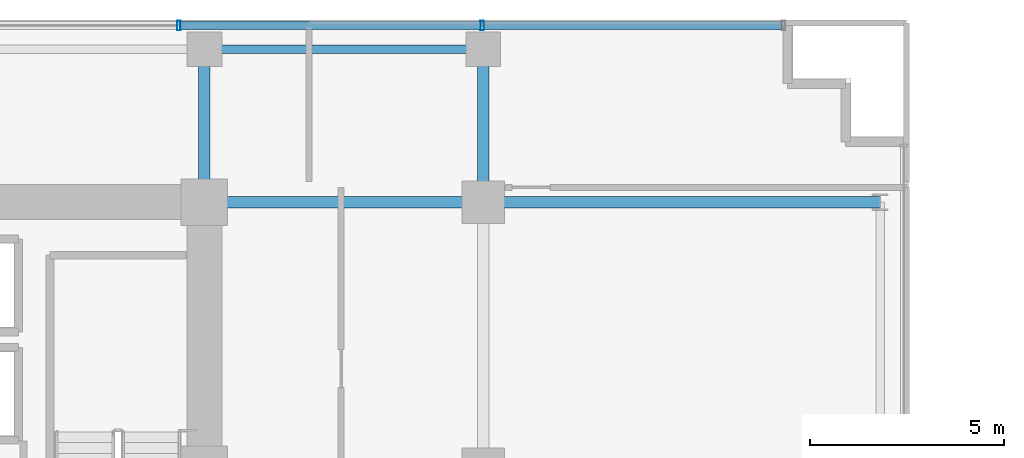
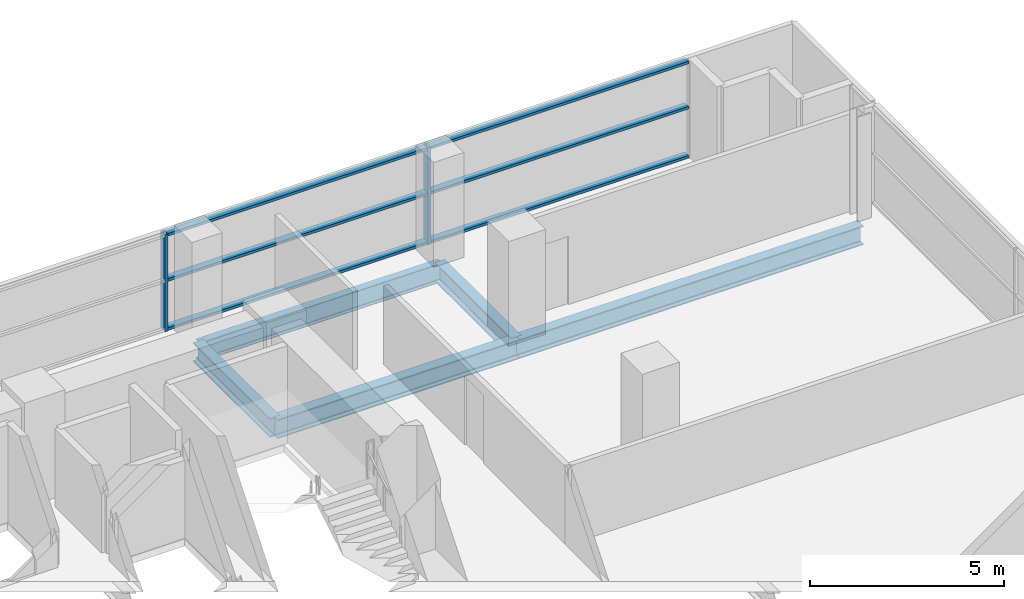
# One storey, part 16 of 26: 8 members, 5 beams, 1 element without a shape of its own.
"""IFC4 building model written with IfcOpenShell, lengths in metres."""

from ifc_helpers import new_model, si_unit, direction, frame, origin, origin_2d, place, context, subcontext, project, spatial, hollow_rectangle, i_section, extrude, source, transform, mapped, material, layer, layer_set, material_profile, profile_set, type_object, element, aggregate, save


model = new_model("IFC4")

# Units and contexts
model_context = context("Model", 3, precision=1e-05, world=origin(), true_north=direction((0.0, 1.0)))
body_context = subcontext(model_context, "Body", "Model", "MODEL_VIEW")
ifc_project = project(units=[si_unit("LENGTHUNIT", "METRE"), si_unit("AREAUNIT", "SQUARE_METRE"), si_unit("VOLUMEUNIT", "CUBIC_METRE"), si_unit("PLANEANGLEUNIT", "RADIAN"), si_unit("MASSUNIT", "GRAM", prefix="KILO")], contexts=[model_context])

# Site, building, storey
site_placement = place(None, origin())
site = spatial("IfcSite", under=ifc_project, at=site_placement, CompositionType="ELEMENT")
building_placement = place(site_placement, origin())
building = spatial("IfcBuilding", under=site, at=building_placement, Name="Zarnakvel Exchange Tower", CompositionType="ELEMENT")
storey_placement = place(building_placement, frame((0.0, 0.0, 70.300048828125)))
storey = spatial("IfcBuildingStorey", under=building, at=storey_placement, Name="L19", CompositionType="ELEMENT", Elevation=70.300048828125)

# Beams
ifc_material_1 = material(Name="Steel S355", Category="steel")
ifc_material_profile_1 = material_profile(ifc_material_1, i_section(OverallWidth=0.300048828125, OverallDepth=0.60009765625, WebThickness=0.015380859375, FlangeThickness=0.030029296875, FilletRadius=0.027099609375, at=origin_2d()))
ifc_profile_set_1 = profile_set([ifc_material_profile_1], Name="Steel S355")
beam_type_1 = type_object("IfcBeamType", Name="G-04", PredefinedType="BEAM", material=ifc_profile_set_1)
beam_1_placement = place(storey_placement, frame((14.39990234375, 13.5, -0.525146484375), z_axis=(1.0, 0.0, 0.0), x_axis=(0.0, 1.0, 0.0)))
element("IfcBeam", 1, at=beam_1_placement, inside=storey, type_object=beam_type_1, Name="L19 Tower E-W Frame Beam", PredefinedType="BEAM", context=body_context, shape_type="SweptSolid", body=[
    extrude(i_section(OverallWidth=0.300048828125, OverallDepth=0.60009765625, WebThickness=0.015380859375, FlangeThickness=0.030029296875, FilletRadius=0.027099609375, at=origin_2d()), origin(), (0.0, 0.0, 1.0), 7.2001953125),
])
beam_2_placement = place(storey_placement, frame((21.60009765625, 13.5, -0.525146484375), z_axis=(1.0, 0.0, 0.0), x_axis=(0.0, 1.0, 0.0)))
element("IfcBeam", 2, at=beam_2_placement, inside=storey, type_object=beam_type_1, Name="L19 Tower E-W Frame Beam", PredefinedType="BEAM", context=body_context, shape_type="SweptSolid", body=[
    extrude(i_section(OverallWidth=0.300048828125, OverallDepth=0.60009765625, WebThickness=0.015380859375, FlangeThickness=0.030029296875, FilletRadius=0.027099609375, at=origin_2d()), origin(), (0.0, 0.0, 1.0), 10.25),
])
for number, where, z_axis, x_axis, name in (
    (3, (14.39990234375, 13.5, -0.525146484375), (0.0, 1.0, 0.0), (-1.0, 0.0, 0.0), "L19 Tower N-S Frame Beam"),
    (4, (21.60009765625, 13.5, -0.525146484375), (0.0, 1.0, 0.0), (-1.0, 0.0, 0.0), "L19 Tower N-S Frame Beam"),
):
    element("IfcBeam", number, at=place(storey_placement, frame(where, z_axis=z_axis, x_axis=x_axis)), inside=storey, type_object=beam_type_1, Name=name, PredefinedType="BEAM", context=body_context, shape_type="SweptSolid", body=[
        extrude(i_section(OverallWidth=0.300048828125, OverallDepth=0.60009765625, WebThickness=0.015380859375, FlangeThickness=0.030029296875, FilletRadius=0.027099609375, at=origin_2d()), origin(), (0.0, 0.0, 1.0), 3.949951171875),
    ])
ifc_material_profile_2 = material_profile(ifc_material_1, i_section(OverallWidth=0.219970703125, OverallDepth=0.60009765625, WebThickness=0.011962890625, FlangeThickness=0.01904296875, FilletRadius=0.02392578125, at=origin_2d()))
ifc_profile_set_2 = profile_set([ifc_material_profile_2], Name="Steel S355")
beam_type_2 = type_object("IfcBeamType", Name="SP-01", PredefinedType="SPANDREL", material=ifc_profile_set_2)
beam_3_placement = place(storey_placement, frame((14.39990234375, 17.449951171875, -0.525146484375), z_axis=(1.0, 0.0, 0.0), x_axis=(0.0, 1.0, 0.0)))
element("IfcBeam", 5, at=beam_3_placement, inside=storey, type_object=beam_type_2, Name="L19 Tower E-W Frame Beam", PredefinedType="SPANDREL", context=body_context, shape_type="SweptSolid", body=[
    extrude(i_section(OverallWidth=0.219970703125, OverallDepth=0.60009765625, WebThickness=0.011962890625, FlangeThickness=0.01904296875, FilletRadius=0.02392578125, at=origin_2d()), origin(), (0.0, 0.0, 1.0), 7.2001953125),
])

# Curtain wall, members
ifc_material_2 = material(Name="Architectural Bronze Anodised Aluminium", Category="aluminium")
ifc_layer = layer(ifc_material_2, 0.239990234375)
ifc_layer_set = layer_set([ifc_layer], Name="Architectural Bronze Anodised Aluminium")
curtain_wall_type = type_object("IfcCurtainWallType", Name="CW-02", PredefinedType="NOTDEFINED", material=ifc_layer_set)
curtain_wall_placement = place(storey_placement, origin())
curtain_wall = element("IfcCurtainWall", 6, at=curtain_wall_placement, inside=storey, type_object=curtain_wall_type, Name="L19 Curtain Wall CW-L19-N1 (CW-02)", PredefinedType="NOTDEFINED")
ifc_material_profile_3 = material_profile(ifc_material_2, hollow_rectangle(XDim=0.199951171875, YDim=0.0849609375, WallThickness=0.0048828125, at=origin_2d()))
ifc_profile_set_3 = profile_set([ifc_material_profile_3], Name="Architectural Bronze Anodised Aluminium")
member_type_1 = type_object("IfcMemberType", Name="CWT-02", PredefinedType="USERDEFINED", material=ifc_profile_set_3)
shared_shape_1 = source(origin(), body_context, "Body", "SweptSolid", [
    extrude(hollow_rectangle(XDim=0.199951171875, YDim=0.0849609375, WallThickness=0.0048828125, at=origin_2d()), origin(), (0.0, 0.0, 1.0), 7.693603515625),
])
member_1_placement = place(storey_placement, frame((21.616455078125, 18.06005859375, 0.04248046875), z_axis=(1.0, 0.0, 0.0), x_axis=(0.0, 1.0, 0.0)))
member_1 = element("IfcMember", 7, at=member_1_placement, type_object=member_type_1, Name="CW-02 transom 7.1", ObjectType="TRANSOM", PredefinedType="USERDEFINED", context=body_context, shape_type="MappedRepresentation", body=[
    mapped(shared_shape_1, transform((0.0, 0.0, 0.0), x_axis=(1.0, 0.0, 0.0), y_axis=(0.0, 1.0, 0.0), z_axis=(0.0, 0.0, 1.0), scale=1.0)),
])
member_2_placement = place(storey_placement, frame((21.616455078125, 18.06005859375, 1.588623046875), z_axis=(1.0, 0.0, 0.0), x_axis=(0.0, 1.0, 0.0)))
member_2 = element("IfcMember", 8, at=member_2_placement, type_object=member_type_1, Name="CW-02 transom 7.2", ObjectType="TRANSOM", PredefinedType="USERDEFINED", context=body_context, shape_type="MappedRepresentation", body=[
    mapped(shared_shape_1, transform((0.0, 0.0, 0.0), x_axis=(1.0, 0.0, 0.0), y_axis=(0.0, 1.0, 0.0), z_axis=(0.0, 0.0, 1.0), scale=1.0)),
])
member_3_placement = place(storey_placement, frame((21.616455078125, 18.06005859375, 3.012451171875), z_axis=(1.0, 0.0, 0.0), x_axis=(0.0, 1.0, 0.0)))
member_3 = element("IfcMember", 9, at=member_3_placement, type_object=member_type_1, Name="CW-02 transom 7.3", ObjectType="TRANSOM", PredefinedType="USERDEFINED", context=body_context, shape_type="MappedRepresentation", body=[
    mapped(shared_shape_1, transform((0.0, 0.0, 0.0), x_axis=(1.0, 0.0, 0.0), y_axis=(0.0, 1.0, 0.0), z_axis=(0.0, 0.0, 1.0), scale=1.0)),
])
shared_shape_2 = source(origin(), body_context, "Body", "SweptSolid", [
    extrude(hollow_rectangle(XDim=0.199951171875, YDim=0.0849609375, WallThickness=0.0048828125, at=origin_2d()), origin(), (0.0, 0.0, 1.0), 7.738525390625),
])
member_4_placement = place(storey_placement, frame((13.787841796875, 18.06005859375, 0.04248046875), z_axis=(1.0, 0.0, 0.0), x_axis=(0.0, 1.0, 0.0)))
member_4 = element("IfcMember", 10, at=member_4_placement, type_object=member_type_1, Name="CW-02 transom 6.1", ObjectType="TRANSOM", PredefinedType="USERDEFINED", context=body_context, shape_type="MappedRepresentation", body=[
    mapped(shared_shape_2, transform((0.0, 0.0, 0.0), x_axis=(1.0, 0.0, 0.0), y_axis=(0.0, 1.0, 0.0), z_axis=(0.0, 0.0, 1.0), scale=1.0)),
])
member_5_placement = place(storey_placement, frame((13.787841796875, 18.06005859375, 1.588623046875), z_axis=(1.0, 0.0, 0.0), x_axis=(0.0, 1.0, 0.0)))
member_5 = element("IfcMember", 11, at=member_5_placement, type_object=member_type_1, Name="CW-02 transom 6.2", ObjectType="TRANSOM", PredefinedType="USERDEFINED", context=body_context, shape_type="MappedRepresentation", body=[
    mapped(shared_shape_2, transform((0.0, 0.0, 0.0), x_axis=(1.0, 0.0, 0.0), y_axis=(0.0, 1.0, 0.0), z_axis=(0.0, 0.0, 1.0), scale=1.0)),
])
member_6_placement = place(storey_placement, frame((13.787841796875, 18.06005859375, 3.012451171875), z_axis=(1.0, 0.0, 0.0), x_axis=(0.0, 1.0, 0.0)))
member_6 = element("IfcMember", 12, at=member_6_placement, type_object=member_type_1, Name="CW-02 transom 6.3", ObjectType="TRANSOM", PredefinedType="USERDEFINED", context=body_context, shape_type="MappedRepresentation", body=[
    mapped(shared_shape_2, transform((0.0, 0.0, 0.0), x_axis=(1.0, 0.0, 0.0), y_axis=(0.0, 1.0, 0.0), z_axis=(0.0, 0.0, 1.0), scale=1.0)),
])
ifc_material_profile_4 = material_profile(ifc_material_2, hollow_rectangle(XDim=0.239990234375, YDim=0.090087890625, WallThickness=0.006103515625, at=origin_2d()))
ifc_profile_set_4 = profile_set([ifc_material_profile_4], Name="Architectural Bronze Anodised Aluminium")
member_type_2 = type_object("IfcMemberType", Name="CWM-02", PredefinedType="MULLION", material=ifc_profile_set_4)
shared_shape_3 = source(origin(), body_context, "Body", "SweptSolid", [
    extrude(hollow_rectangle(XDim=0.239990234375, YDim=0.090087890625, WallThickness=0.006103515625, at=origin_2d()), origin(), (0.0, 0.0, 1.0), 3.054931640625),
])
member_7_placement = place(storey_placement, frame((13.742919921875, 18.06005859375, 0.0), z_axis=(0.0, 0.0, 1.0), x_axis=(0.0, 1.0, 0.0)))
member_7 = element("IfcMember", 13, at=member_7_placement, type_object=member_type_2, Name="CW-02 mullion 6", PredefinedType="MULLION", context=body_context, shape_type="MappedRepresentation", body=[
    mapped(shared_shape_3, transform((0.0, 0.0, 0.0), x_axis=(1.0, 0.0, 0.0), y_axis=(0.0, 1.0, 0.0), z_axis=(0.0, 0.0, 1.0), scale=1.0)),
])
member_8_placement = place(storey_placement, frame((21.571533203125, 18.06005859375, 0.0), z_axis=(0.0, 0.0, 1.0), x_axis=(0.0, 1.0, 0.0)))
member_8 = element("IfcMember", 14, at=member_8_placement, type_object=member_type_2, Name="CW-02 mullion 7", PredefinedType="MULLION", context=body_context, shape_type="MappedRepresentation", body=[
    mapped(shared_shape_3, transform((0.0, 0.0, 0.0), x_axis=(1.0, 0.0, 0.0), y_axis=(0.0, 1.0, 0.0), z_axis=(0.0, 0.0, 1.0), scale=1.0)),
])
aggregate(curtain_wall, [member_7, member_8, member_4, member_5, member_6, member_1, member_2, member_3])

save(model, "model.ifc")
